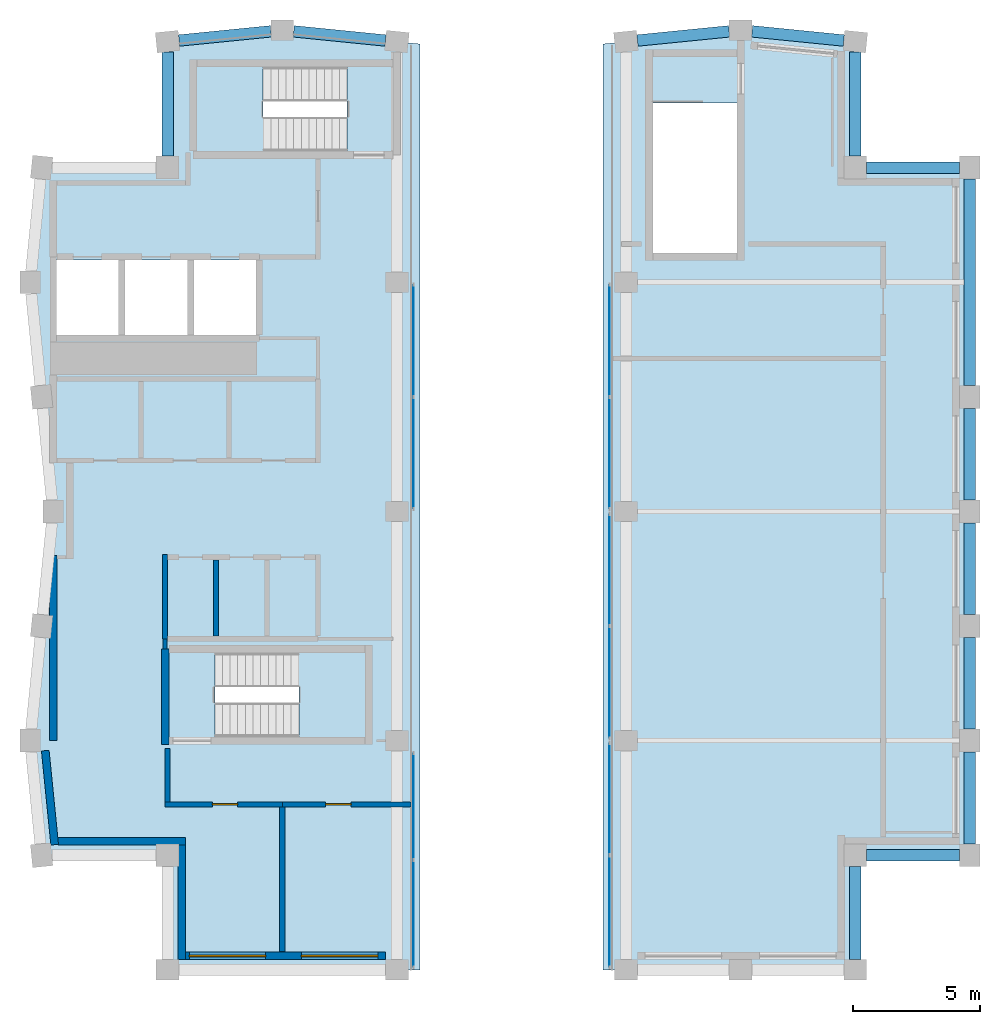
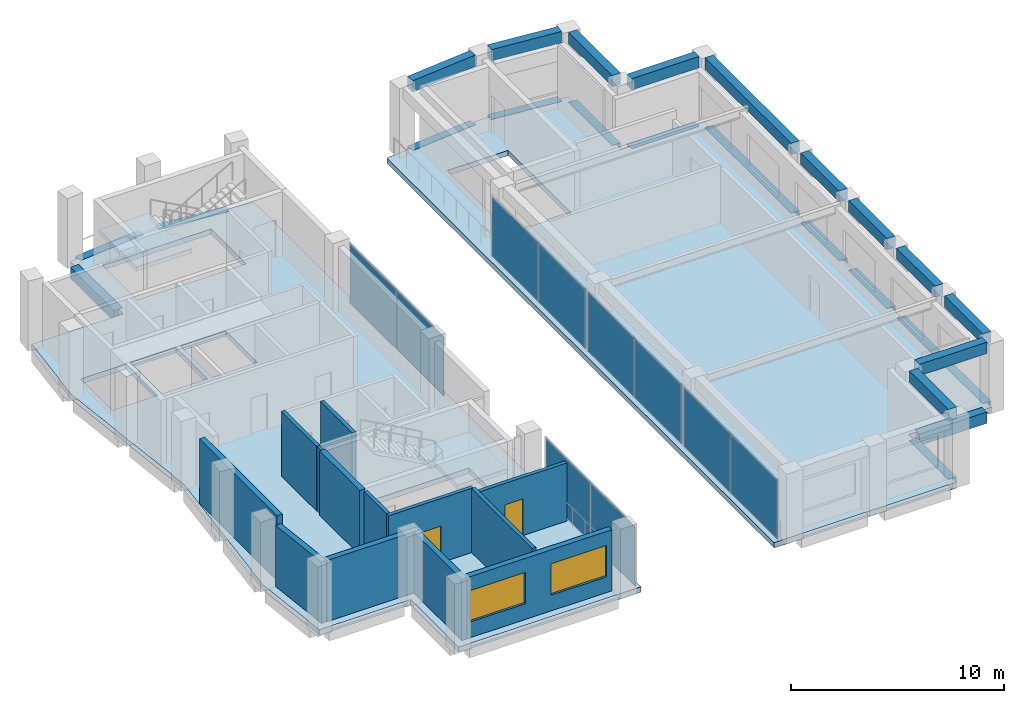
# One storey, part 6 of 9: 25 beams, 13 walls, 10 plates, 4 slabs, 2 doors, 2 windows, 4 openings, 7 elements without a shape of their own.
"""IFC4 building model written with IfcOpenShell, lengths in metres."""

from ifc_helpers import new_model, si_unit, direction, frame, frame_2d, origin, origin_2d, place, context, subcontext, project, spatial, polyline, rectangle, outline, extrude, material, layer, layer_set, material_profile, profile_set, type_object, element, fill, aggregate, save


model = new_model("IFC4")

# Units and contexts
model_context = context("Model", 3, precision=1e-05, world=origin(), true_north=direction((0.0, 1.0)))
body_context = subcontext(model_context, "Body", "Model", "MODEL_VIEW")
ifc_project = project(units=[si_unit("LENGTHUNIT", "METRE"), si_unit("AREAUNIT", "SQUARE_METRE"), si_unit("VOLUMEUNIT", "CUBIC_METRE"), si_unit("PLANEANGLEUNIT", "RADIAN"), si_unit("MASSUNIT", "GRAM", prefix="KILO")], contexts=[model_context])

# Site, building, storey
site_placement = place(None, origin())
site = spatial("IfcSite", under=ifc_project, at=site_placement, CompositionType="ELEMENT")
building_placement = place(site_placement, origin())
building = spatial("IfcBuilding", under=site, at=building_placement, Name="Brondeck Convention Tower", CompositionType="ELEMENT")
storey_placement = place(building_placement, frame((0.0, 0.0, 294.800048828125)))
storey = spatial("IfcBuildingStorey", under=building, at=storey_placement, Name="L73", CompositionType="ELEMENT", Elevation=294.800048828125)

# Beams
ifc_material_1 = material(Name="Concrete C50/60", Category="concrete")
ifc_material_profile = material_profile(ifc_material_1, rectangle(XDim=0.449951171875, YDim=0.64990234375, at=origin_2d()), Name="Precast spandrel 450x650 Concrete C50/60")
ifc_profile_set = profile_set([ifc_material_profile], Name="Concrete C50/60")
beam_type = type_object("IfcBeamType", Name="Precast spandrel 450x650 Concrete C50/60", PredefinedType="SPANDREL", material=ifc_profile_set)
for number, where, z_axis, x_axis, name in (
    (1, (13.05224609375, 63.494873046875, -0.324951171875), (-0.995040528141, 0.099470334057, 0.0), (-0.099470334057, -0.995040528141, 0.0), "STR-SP-L73K1-006"),
    (2, (8.550048828125, 63.85498046875, -0.324951171875), (-0.995040528141, -0.099470334057, 0.0), (0.099470334057, -0.995040528141, 0.0), "STR-SP-L73K1-007"),
):
    element("IfcBeam", number, at=place(storey_placement, frame(where, z_axis=z_axis, x_axis=x_axis)), inside=storey, type_object=beam_type, Name=name, PredefinedType="SPANDREL", context=body_context, shape_type="SweptSolid", body=[
        extrude(rectangle(XDim=0.449951171875, YDim=0.64990234375, at=origin_2d()), origin(), (0.0, 0.0, 1.0), 3.620361328125),
    ])
beam_1_placement = place(storey_placement, frame((4.5, 63.048095703125, -0.324951171875), z_axis=(0.0, -1.0, 0.0), x_axis=(1.0, 0.0, 0.0)))
element("IfcBeam", 3, at=beam_1_placement, inside=storey, type_object=beam_type, Name="STR-SP-L73K1-008", PredefinedType="SPANDREL", context=body_context, shape_type="SweptSolid", body=[
    extrude(rectangle(XDim=0.449951171875, YDim=0.64990234375, at=origin_2d()), origin(), (0.0, 0.0, 1.0), 4.09814453125),
])
for number, where, z_axis, x_axis, name in (
    (4, (31.5, 27.39990234375, -0.324951171875), (0.0, 1.0, 0.0), (-1.0, 0.0, 0.0), "STR-SP-L73K2-003"),
    (5, (31.949951171875, 31.5, -0.324951171875), (1.0, 0.0, 0.0), (0.0, 1.0, 0.0), "STR-SP-L73K2-004"),
):
    element("IfcBeam", number, at=place(storey_placement, frame(where, z_axis=z_axis, x_axis=x_axis)), inside=storey, type_object=beam_type, Name=name, PredefinedType="SPANDREL", context=body_context, shape_type="SweptSolid", body=[
        extrude(rectangle(XDim=0.449951171875, YDim=0.64990234375, at=origin_2d()), origin(), (0.0, 0.0, 1.0), 3.650146484375),
    ])
for number, where, z_axis, x_axis, name in (
    (6, (36.0, 31.949951171875, -0.324951171875), (0.0, 1.0, 0.0), (-1.0, 0.0, 0.0), "STR-SP-L73K2-005"),
    (7, (36.0, 36.449951171875, -0.324951171875), (0.0, 1.0, 0.0), (-1.0, 0.0, 0.0), "STR-SP-L73K2-006"),
    (8, (36.0, 40.949951171875, -0.324951171875), (0.0, 1.0, 0.0), (-1.0, 0.0, 0.0), "STR-SP-L73K2-007"),
    (9, (36.0, 45.449951171875, -0.324951171875), (0.0, 1.0, 0.0), (-1.0, 0.0, 0.0), "STR-SP-L73K2-008"),
):
    element("IfcBeam", number, at=place(storey_placement, frame(where, z_axis=z_axis, x_axis=x_axis)), inside=storey, type_object=beam_type, Name=name, PredefinedType="SPANDREL", context=body_context, shape_type="SweptSolid", body=[
        extrude(rectangle(XDim=0.449951171875, YDim=0.64990234375, at=origin_2d()), origin(), (0.0, 0.0, 1.0), 3.60009765625),
    ])
beam_2_placement = place(storey_placement, frame((36.0, 49.949951171875, -0.324951171875), z_axis=(0.0, 1.0, 0.0), x_axis=(-1.0, 0.0, 0.0)))
element("IfcBeam", 10, at=beam_2_placement, inside=storey, type_object=beam_type, Name="STR-SP-L73K2-009", PredefinedType="SPANDREL", context=body_context, shape_type="SweptSolid", body=[
    extrude(rectangle(XDim=0.449951171875, YDim=0.64990234375, at=origin_2d()), origin(), (0.0, 0.0, 1.0), 8.10009765625),
])
beam_3_placement = place(storey_placement, frame((35.60009765625, 58.5, -0.324951171875), z_axis=(-1.0, 0.0, 0.0), x_axis=(0.0, -1.0, 0.0)))
element("IfcBeam", 11, at=beam_3_placement, inside=storey, type_object=beam_type, Name="STR-SP-L73K2-010", PredefinedType="SPANDREL", context=body_context, shape_type="SweptSolid", body=[
    extrude(rectangle(XDim=0.449951171875, YDim=0.64990234375, at=origin_2d()), origin(), (0.0, 0.0, 1.0), 3.650146484375),
])
beam_4_placement = place(storey_placement, frame((31.5, 58.949951171875, -0.324951171875), z_axis=(0.0, 1.0, 0.0), x_axis=(-1.0, 0.0, 0.0)))
element("IfcBeam", 12, at=beam_4_placement, inside=storey, type_object=beam_type, Name="STR-SP-L73K2-011", PredefinedType="SPANDREL", context=body_context, shape_type="SweptSolid", body=[
    extrude(rectangle(XDim=0.449951171875, YDim=0.64990234375, at=origin_2d()), origin(), (0.0, 0.0, 1.0), 4.09814453125),
])
for number, where, z_axis, x_axis, name in (
    (13, (31.05224609375, 63.494873046875, -0.324951171875), (-0.995040528141, 0.099470334057, 0.0), (-0.099470334057, -0.995040528141, 0.0), "STR-SP-L73K2-012"),
    (14, (26.550048828125, 63.85498046875, -0.324951171875), (-0.995040528141, -0.099470334057, 0.0), (0.099470334057, -0.995040528141, 0.0), "STR-SP-L73K2-013"),
):
    element("IfcBeam", number, at=place(storey_placement, frame(where, z_axis=z_axis, x_axis=x_axis)), inside=storey, type_object=beam_type, Name=name, PredefinedType="SPANDREL", context=body_context, shape_type="SweptSolid", body=[
        extrude(rectangle(XDim=0.449951171875, YDim=0.64990234375, at=origin_2d()), origin(), (0.0, 0.0, 1.0), 3.620361328125),
    ])
for number, where, z_axis, x_axis, name in (
    (15, (31.5, 27.39990234375, 3.675048828125), (0.0, 1.0, 0.0), (-1.0, 0.0, 0.0), "STR-SP-L73RP2-003"),
    (16, (31.949951171875, 31.5, 3.675048828125), (1.0, 0.0, 0.0), (0.0, 1.0, 0.0), "STR-SP-L73RP2-004"),
):
    element("IfcBeam", number, at=place(storey_placement, frame(where, z_axis=z_axis, x_axis=x_axis)), inside=storey, type_object=beam_type, Name=name, PredefinedType="SPANDREL", context=body_context, shape_type="SweptSolid", body=[
        extrude(rectangle(XDim=0.449951171875, YDim=0.64990234375, at=origin_2d()), origin(), (0.0, 0.0, 1.0), 3.650146484375),
    ])
for number, where, z_axis, x_axis, name in (
    (17, (36.0, 31.949951171875, 3.675048828125), (0.0, 1.0, 0.0), (-1.0, 0.0, 0.0), "STR-SP-L73RP2-005"),
    (18, (36.0, 36.449951171875, 3.675048828125), (0.0, 1.0, 0.0), (-1.0, 0.0, 0.0), "STR-SP-L73RP2-006"),
    (19, (36.0, 40.949951171875, 3.675048828125), (0.0, 1.0, 0.0), (-1.0, 0.0, 0.0), "STR-SP-L73RP2-007"),
    (20, (36.0, 45.449951171875, 3.675048828125), (0.0, 1.0, 0.0), (-1.0, 0.0, 0.0), "STR-SP-L73RP2-008"),
):
    element("IfcBeam", number, at=place(storey_placement, frame(where, z_axis=z_axis, x_axis=x_axis)), inside=storey, type_object=beam_type, Name=name, PredefinedType="SPANDREL", context=body_context, shape_type="SweptSolid", body=[
        extrude(rectangle(XDim=0.449951171875, YDim=0.64990234375, at=origin_2d()), origin(), (0.0, 0.0, 1.0), 3.60009765625),
    ])
beam_5_placement = place(storey_placement, frame((36.0, 49.949951171875, 3.675048828125), z_axis=(0.0, 1.0, 0.0), x_axis=(-1.0, 0.0, 0.0)))
element("IfcBeam", 21, at=beam_5_placement, inside=storey, type_object=beam_type, Name="STR-SP-L73RP2-009", PredefinedType="SPANDREL", context=body_context, shape_type="SweptSolid", body=[
    extrude(rectangle(XDim=0.449951171875, YDim=0.64990234375, at=origin_2d()), origin(), (0.0, 0.0, 1.0), 8.10009765625),
])
beam_6_placement = place(storey_placement, frame((35.60009765625, 58.5, 3.675048828125), z_axis=(-1.0, 0.0, 0.0), x_axis=(0.0, -1.0, 0.0)))
element("IfcBeam", 22, at=beam_6_placement, inside=storey, type_object=beam_type, Name="STR-SP-L73RP2-010", PredefinedType="SPANDREL", context=body_context, shape_type="SweptSolid", body=[
    extrude(rectangle(XDim=0.449951171875, YDim=0.64990234375, at=origin_2d()), origin(), (0.0, 0.0, 1.0), 3.650146484375),
])
beam_7_placement = place(storey_placement, frame((31.5, 58.949951171875, 3.675048828125), z_axis=(0.0, 1.0, 0.0), x_axis=(-1.0, 0.0, 0.0)))
element("IfcBeam", 23, at=beam_7_placement, inside=storey, type_object=beam_type, Name="STR-SP-L73RP2-011", PredefinedType="SPANDREL", context=body_context, shape_type="SweptSolid", body=[
    extrude(rectangle(XDim=0.449951171875, YDim=0.64990234375, at=origin_2d()), origin(), (0.0, 0.0, 1.0), 4.09814453125),
])
for number, where, z_axis, x_axis, name in (
    (24, (31.05224609375, 63.494873046875, 3.675048828125), (-0.995040528141, 0.099470334057, 0.0), (-0.099470334057, -0.995040528141, 0.0), "STR-SP-L73RP2-012"),
    (25, (26.550048828125, 63.85498046875, 3.675048828125), (-0.995040528141, -0.099470334057, 0.0), (0.099470334057, -0.995040528141, 0.0), "STR-SP-L73RP2-013"),
):
    element("IfcBeam", number, at=place(storey_placement, frame(where, z_axis=z_axis, x_axis=x_axis)), inside=storey, type_object=beam_type, Name=name, PredefinedType="SPANDREL", context=body_context, shape_type="SweptSolid", body=[
        extrude(rectangle(XDim=0.449951171875, YDim=0.64990234375, at=origin_2d()), origin(), (0.0, 0.0, 1.0), 3.620361328125),
    ])

# Curtain wall, plates
ifc_material_2 = material(Name="Aluminium, bronze anodised", Category="aluminium")
curtain_wall_type = type_object("IfcCurtainWallType", Name="Crown screen curtain wall", PredefinedType="NOTDEFINED", material=ifc_material_2)
curtain_wall_1_placement = place(storey_placement, origin())
curtain_wall_1 = element("IfcCurtainWall", 26, at=curtain_wall_1_placement, inside=storey, type_object=curtain_wall_type, Name="ENV-CW4-L73-K1-SLOT-W-00-2", PredefinedType="NOTDEFINED")
ifc_material_3 = material(Name="Bronze tinted laminated glass", Category="glass")
ifc_layer_1 = layer(ifc_material_3, 0.007080078125, Name="Outer pane")
ifc_material_4 = material(Name="Argon-filled cavity")
ifc_layer_2 = layer(ifc_material_4, 0.011962890625, Name="Cavity")
ifc_material_5 = material(Name="Clear low-emissivity glass", Category="glass")
ifc_layer_3 = layer(ifc_material_5, 0.007080078125, Name="Inner pane")
ifc_layer_set_1 = layer_set([ifc_layer_1, ifc_layer_2, ifc_layer_3], Name="CW4 glazing panel")
plate_type = type_object("IfcPlateType", Name="CW4 glazing panel", PredefinedType="CURTAIN_PANEL", material=ifc_layer_set_1)
plate_1_placement = place(storey_placement, frame((14.14990234375, 33.41259765625, 0.06005859375), z_axis=(0.0, 0.0, 1.0), x_axis=(0.0, -1.0, 0.0)))
plate_1 = element("IfcPlate", 27, at=plate_1_placement, type_object=plate_type, Name="CW4 panel 1.1", PredefinedType="CURTAIN_PANEL", context=body_context, shape_type="SweptSolid", body=[
    extrude(rectangle(XDim=4.155029296875, YDim=0.02587890625, at=origin_2d()), origin(), (0.0, 0.0, 1.0), 3.3798828125),
])
plate_2_placement = place(storey_placement, frame((14.14990234375, 29.197509765625, 0.06005859375), z_axis=(0.0, 0.0, 1.0), x_axis=(0.0, -1.0, 0.0)))
plate_2 = element("IfcPlate", 28, at=plate_2_placement, type_object=plate_type, Name="CW4 panel 2.1", PredefinedType="CURTAIN_PANEL", context=body_context, shape_type="SweptSolid", body=[
    extrude(rectangle(XDim=4.155029296875, YDim=0.02587890625, at=origin_2d()), origin(), (0.0, 0.0, 1.0), 3.3798828125),
])
aggregate(curtain_wall_1, [plate_1, plate_2])

curtain_wall_2_placement = place(storey_placement, origin())
curtain_wall_2 = element("IfcCurtainWall", 29, at=curtain_wall_2_placement, inside=storey, type_object=curtain_wall_type, Name="ENV-CW4-L73-K1-SLOT-W-05", PredefinedType="NOTDEFINED")
plate_3_placement = place(storey_placement, frame((14.14990234375, 51.705078125, 0.06005859375), z_axis=(0.0, 0.0, 1.0), x_axis=(0.0, -1.0, 0.0)))
plate_3 = element("IfcPlate", 30, at=plate_3_placement, type_object=plate_type, Name="CW4 panel 1.1", PredefinedType="CURTAIN_PANEL", context=body_context, shape_type="SweptSolid", body=[
    extrude(rectangle(XDim=4.35009765625, YDim=0.02587890625, at=origin_2d()), origin(), (0.0, 0.0, 1.0), 3.3798828125),
])
plate_4_placement = place(storey_placement, frame((14.14990234375, 47.294921875, 0.06005859375), z_axis=(0.0, 0.0, 1.0), x_axis=(0.0, -1.0, 0.0)))
plate_4 = element("IfcPlate", 31, at=plate_4_placement, type_object=plate_type, Name="CW4 panel 2.1", PredefinedType="CURTAIN_PANEL", context=body_context, shape_type="SweptSolid", body=[
    extrude(rectangle(XDim=4.35009765625, YDim=0.02587890625, at=origin_2d()), origin(), (0.0, 0.0, 1.0), 3.3798828125),
])
aggregate(curtain_wall_2, [plate_3, plate_4])

curtain_wall_3_placement = place(storey_placement, origin())
curtain_wall_3 = element("IfcCurtainWall", 32, at=curtain_wall_3_placement, inside=storey, type_object=curtain_wall_type, Name="ENV-CW4-L73-K2-SLOT-E-03", PredefinedType="NOTDEFINED")
plate_5_placement = place(storey_placement, frame((21.85009765625, 47.294921875, 0.06005859375), z_axis=(0.0, 0.0, 1.0), x_axis=(0.0, 1.0, 0.0)))
plate_5 = element("IfcPlate", 33, at=plate_5_placement, type_object=plate_type, Name="CW4 panel 1.1", PredefinedType="CURTAIN_PANEL", context=body_context, shape_type="SweptSolid", body=[
    extrude(rectangle(XDim=4.35009765625, YDim=0.02587890625, at=origin_2d()), origin(), (0.0, 0.0, 1.0), 3.3798828125),
])
plate_6_placement = place(storey_placement, frame((21.85009765625, 51.705078125, 0.06005859375), z_axis=(0.0, 0.0, 1.0), x_axis=(0.0, 1.0, 0.0)))
plate_6 = element("IfcPlate", 34, at=plate_6_placement, type_object=plate_type, Name="CW4 panel 2.1", PredefinedType="CURTAIN_PANEL", context=body_context, shape_type="SweptSolid", body=[
    extrude(rectangle(XDim=4.35009765625, YDim=0.02587890625, at=origin_2d()), origin(), (0.0, 0.0, 1.0), 3.3798828125),
])
aggregate(curtain_wall_3, [plate_5, plate_6])

curtain_wall_4_placement = place(storey_placement, origin())
curtain_wall_4 = element("IfcCurtainWall", 35, at=curtain_wall_4_placement, inside=storey, type_object=curtain_wall_type, Name="ENV-CW4-L73-K2-SLOT-E-05", PredefinedType="NOTDEFINED")
plate_7_placement = place(storey_placement, frame((21.85009765625, 38.294921875, 0.06005859375), z_axis=(0.0, 0.0, 1.0), x_axis=(0.0, 1.0, 0.0)))
plate_7 = element("IfcPlate", 36, at=plate_7_placement, type_object=plate_type, Name="CW4 panel 1.1", PredefinedType="CURTAIN_PANEL", context=body_context, shape_type="SweptSolid", body=[
    extrude(rectangle(XDim=4.35009765625, YDim=0.02587890625, at=origin_2d()), origin(), (0.0, 0.0, 1.0), 3.3798828125),
])
plate_8_placement = place(storey_placement, frame((21.85009765625, 42.705078125, 0.06005859375), z_axis=(0.0, 0.0, 1.0), x_axis=(0.0, 1.0, 0.0)))
plate_8 = element("IfcPlate", 37, at=plate_8_placement, type_object=plate_type, Name="CW4 panel 2.1", PredefinedType="CURTAIN_PANEL", context=body_context, shape_type="SweptSolid", body=[
    extrude(rectangle(XDim=4.35009765625, YDim=0.02587890625, at=origin_2d()), origin(), (0.0, 0.0, 1.0), 3.3798828125),
])
aggregate(curtain_wall_4, [plate_7, plate_8])

curtain_wall_5_placement = place(storey_placement, origin())
curtain_wall_5 = element("IfcCurtainWall", 38, at=curtain_wall_5_placement, inside=storey, type_object=curtain_wall_type, Name="ENV-CW4-L73-K2-SLOT-E-07-1", PredefinedType="NOTDEFINED")
plate_9_placement = place(storey_placement, frame((21.85009765625, 29.294921875, 0.06005859375), z_axis=(0.0, 0.0, 1.0), x_axis=(0.0, 1.0, 0.0)))
plate_9 = element("IfcPlate", 39, at=plate_9_placement, type_object=plate_type, Name="CW4 panel 1.1", PredefinedType="CURTAIN_PANEL", context=body_context, shape_type="SweptSolid", body=[
    extrude(rectangle(XDim=4.35009765625, YDim=0.02587890625, at=origin_2d()), origin(), (0.0, 0.0, 1.0), 3.3798828125),
])
plate_10_placement = place(storey_placement, frame((21.85009765625, 33.705078125, 0.06005859375), z_axis=(0.0, 0.0, 1.0), x_axis=(0.0, 1.0, 0.0)))
plate_10 = element("IfcPlate", 40, at=plate_10_placement, type_object=plate_type, Name="CW4 panel 2.1", PredefinedType="CURTAIN_PANEL", context=body_context, shape_type="SweptSolid", body=[
    extrude(rectangle(XDim=4.35009765625, YDim=0.02587890625, at=origin_2d()), origin(), (0.0, 0.0, 1.0), 3.3798828125),
])
aggregate(curtain_wall_5, [plate_9, plate_10])

# Slabs
ifc_material_6 = material(Name="Concrete C35/45", Category="concrete")
ifc_layer_4 = layer(ifc_material_6, 0.300048828125)
ifc_layer_set_2 = layer_set([ifc_layer_4], Name="Composite floor slab 300")
slab_type_1 = type_object("IfcSlabType", Name="Composite floor slab 300", PredefinedType="FLOOR", material=ifc_layer_set_2)
slab_1_placement = place(storey_placement, frame((0.0, 0.0, -0.300048828125)))
element("IfcSlab", 41, at=slab_1_placement, inside=storey, type_object=slab_type_1, Name="STR-SL-L73-P1", PredefinedType="FLOOR", context=body_context, shape_type="SweptSolid", body=[
    extrude(outline(polyline([(4.5, 31.5), (-0.449951171875, 31.5), (-0.89990234375, 36.0), (0.0, 45.0), (-0.89990234375, 54.0), (-0.449951171875, 58.5), (4.5, 58.5), (4.5, 63.449951171875), (9.0, 63.89990234375), (14.39990234375, 63.360107421875), (14.39990234375, 63.0), (14.39990234375, 27.0), (4.5, 27.0), (4.5, 31.5)]), holes=[polyline([(6.35205078125, 39.447998046875), (6.35205078125, 36.152099609375), (12.248046875, 36.152099609375), (12.248046875, 39.447998046875), (6.35205078125, 39.447998046875)]), polyline([(2.574951171875, 54.875), (0.125, 54.875), (0.125, 51.925048828125), (2.574951171875, 51.925048828125), (2.574951171875, 54.875)]), polyline([(5.27490234375, 54.875), (2.824951171875, 54.875), (2.824951171875, 51.925048828125), (5.27490234375, 51.925048828125), (5.27490234375, 54.875)]), polyline([(5.52490234375, 54.875), (5.52490234375, 51.925048828125), (7.97509765625, 51.925048828125), (7.97509765625, 54.875), (5.52490234375, 54.875)]), polyline([(5.652099609375, 59.152099609375), (11.548095703125, 59.152099609375), (11.548095703125, 62.447998046875), (5.652099609375, 62.447998046875), (5.652099609375, 59.152099609375)])]), origin(), (0.0, 0.0, 1.0), 0.300048828125),
])
slab_2_placement = place(storey_placement, frame((0.0, 0.0, -0.300048828125)))
element("IfcSlab", 42, at=slab_2_placement, inside=storey, type_object=slab_type_1, Name="STR-SL-L73-P2", PredefinedType="FLOOR", context=body_context, shape_type="SweptSolid", body=[
    extrude(outline(polyline([(21.60009765625, 63.0), (21.60009765625, 63.360107421875), (27.0, 63.89990234375), (31.5, 63.449951171875), (31.5, 58.5), (36.0, 58.5), (36.0, 31.5), (31.5, 31.5), (31.5, 27.0), (21.60009765625, 27.0), (21.60009765625, 63.0)]), holes=[polyline([(26.847900390625, 55.152099609375), (26.847900390625, 61.048095703125), (23.552001953125, 61.048095703125), (23.552001953125, 55.152099609375), (26.847900390625, 55.152099609375)])]), origin(), (0.0, 0.0, 1.0), 0.300048828125),
])

# Stair, slab
ifc_material_7 = material(Name="Precast concrete C50/60", Category="concrete")
stair_type = type_object("IfcStairType", Name="Core stair 24 risers 166.67 mm riser 300 mm going 1350 wide", PredefinedType="HALF_TURN_STAIR", material=ifc_material_7)
stair_1_placement = place(storey_placement, origin())
stair_1 = element("IfcStair", 43, at=stair_1_placement, inside=storey, type_object=stair_type, Name="ST-1 L73 stair", PredefinedType="HALF_TURN_STAIR")
ifc_layer_5 = layer(ifc_material_7, 0.25)
ifc_layer_set_3 = layer_set([ifc_layer_5], Name="Core stair landing 250 Precast concrete C50/60")
slab_type_2 = type_object("IfcSlabType", Name="Core stair landing 250 Precast concrete C50/60", PredefinedType="LANDING", material=ifc_layer_set_3)
slab_3_placement = place(storey_placement, frame((0.0, 0.0, 1.75)))
slab_3 = element("IfcSlab", 44, at=slab_3_placement, type_object=slab_type_2, Name="ST-1 landing 1", PredefinedType="LANDING", context=body_context, shape_type="SweptSolid", body=[
    extrude(outline(polyline([(9.64794921875, 37.5), (9.64990234375, 37.5), (9.64990234375, 38.10009765625), (9.35009765625, 38.10009765625), (9.35009765625, 39.570068359375), (12.3701171875, 39.570068359375), (12.3701171875, 36.030029296875), (9.64794921875, 36.030029296875), (9.64794921875, 37.5)])), origin(), (0.0, 0.0, 1.0), 0.25),
])
aggregate(stair_1, [slab_3])

stair_2_placement = place(storey_placement, origin())
stair_2 = element("IfcStair", 45, at=stair_2_placement, inside=storey, type_object=stair_type, Name="ST-3 L73 stair", PredefinedType="HALF_TURN_STAIR")
slab_4_placement = place(storey_placement, frame((0.0, 0.0, 1.75)))
slab_4 = element("IfcSlab", 46, at=slab_4_placement, type_object=slab_type_2, Name="ST-3 landing 1", PredefinedType="LANDING", context=body_context, shape_type="SweptSolid", body=[
    extrude(outline(polyline([(8.550048828125, 60.5), (8.550048828125, 59.030029296875), (5.530029296875, 59.030029296875), (5.530029296875, 62.570068359375), (8.251953125, 62.570068359375), (8.251953125, 61.10009765625), (8.25, 61.10009765625), (8.25, 60.5), (8.550048828125, 60.5)])), origin(), (0.0, 0.0, 1.0), 0.25),
])
aggregate(stair_2, [slab_4])

# Walls
ifc_layer_6 = layer(ifc_material_1, 0.300048828125)
ifc_layer_set_4 = layer_set([ifc_layer_6], Name="Core outer wall 300 Concrete C50/60")
wall_type_1 = type_object("IfcWallType", Name="Core outer wall 300 Concrete C50/60", PredefinedType="SHEAR", material=ifc_layer_set_4)
wall_1_placement = place(storey_placement, frame((0.0, 36.0, 0.0), z_axis=(0.0, 0.0, 1.0), x_axis=(0.0, 1.0, 0.0)))
element("IfcWall", 47, at=wall_1_placement, inside=storey, type_object=wall_type_1, Name="L73 core wall", PredefinedType="SHEAR", context=body_context, shape_type="SweptSolid", body=[
    extrude(rectangle(XDim=7.27490234375, YDim=0.300048828125, at=frame_2d((3.637451171875, 0.0))), origin(), (0.0, 0.0, 1.0), 3.699951171875),
])
ifc_material_8 = material(Name="Fire-rated gypsum board partition")
ifc_layer_7 = layer(ifc_material_8, 0.14990234375)
ifc_layer_set_5 = layer_set([ifc_layer_7], Name="Core partition 150 EI 60")
wall_type_2 = type_object("IfcWallType", Name="Core partition 150 EI 60", PredefinedType="PARTITIONING", material=ifc_layer_set_5)
wall_2_placement = place(storey_placement, frame((4.39990234375, 39.60009765625, 0.0), z_axis=(0.0, 0.0, 1.0), x_axis=(0.0, 1.0, 0.0)))
element("IfcWall", 48, at=wall_2_placement, inside=storey, type_object=wall_type_2, Name="L73 core wall", PredefinedType="PARTITIONING", context=body_context, shape_type="SweptSolid", body=[
    extrude(rectangle(XDim=0.39990234375, YDim=0.14990234375, at=frame_2d((0.199951171875, 0.0))), origin(), (0.0, 0.0, 1.0), 3.699951171875),
])

# Wall, openings, windows
ifc_material_9 = material(Name="Precast concrete C50/60 bronze finish", Category="concrete")
ifc_layer_8 = layer(ifc_material_9, 0.070068359375, Name="Bronze precast facing")
ifc_material_10 = material(Name="Mineral wool")
ifc_layer_9 = layer(ifc_material_10, 0.159912109375, Name="Insulation")
ifc_layer_10 = layer(ifc_material_6, 0.070068359375, Name="Backing")
ifc_layer_set_6 = layer_set([ifc_layer_8, ifc_layer_9, ifc_layer_10], Name="External infill wall, precast concrete C50/60 bronze facing")
wall_type_3 = type_object("IfcWallType", Name="External infill wall, precast concrete C50/60 bronze facing", PredefinedType="SOLIDWALL", material=ifc_layer_set_6)
wall_3_placement = place(storey_placement, frame((13.050048828125, 27.550048828125, 0.0), z_axis=(0.0, 0.0, 1.0), x_axis=(-1.0, 0.0, 0.0)))
wall_3 = element("IfcWall", 49, at=wall_3_placement, inside=storey, type_object=wall_type_3, Name="ENV-EW-L73-K1-K-S-01", PredefinedType="SOLIDWALL", context=body_context, shape_type="SweptSolid", body=[
    extrude(rectangle(XDim=7.85009765625, YDim=0.300048828125, at=frame_2d((3.925048828125, 0.0))), origin(), (0.0, 0.0, 1.0), 3.5),
])
opening_1_placement = place(wall_3_placement, frame((0.300048828125, 0.0, 0.89990234375)))
opening_1 = element("IfcOpeningElement", 50, at=opening_1_placement, cuts=wall_3, Name="Opening W8", PredefinedType="OPENING", context=body_context, shape_type="SweptSolid", body=[
    extrude(rectangle(XDim=3.0, YDim=1.800048828125, at=frame_2d((1.5, 0.89990234375))), frame((0.0, 0.159912109375, 0.0), z_axis=(0.0, -1.0, 0.0), x_axis=(1.0, 0.0, 0.0)), (0.0, 0.0, 1.0), 0.320068359375),
])
opening_2_placement = place(wall_3_placement, frame((4.699951171875, 0.0, 0.89990234375)))
opening_2 = element("IfcOpeningElement", 51, at=opening_2_placement, cuts=wall_3, Name="Opening W8", PredefinedType="OPENING", context=body_context, shape_type="SweptSolid", body=[
    extrude(rectangle(XDim=3.0, YDim=1.800048828125, at=frame_2d((1.5, 0.89990234375))), frame((0.0, 0.159912109375, 0.0), z_axis=(0.0, -1.0, 0.0), x_axis=(1.0, 0.0, 0.0)), (0.0, 0.0, 1.0), 0.320068359375),
])
ifc_material_11 = material(Name="Bronze tinted double glazing", Category="glass")
window_type = type_object("IfcWindowType", Name="Crown plant storey window, bronze tinted", PartitioningType="SINGLE_PANEL", PredefinedType="WINDOW", material=ifc_material_11)
window_1_placement = place(opening_1_placement, origin())
window_1 = element("IfcWindow", 52, at=window_1_placement, inside=storey, type_object=window_type, Name="ENV-WN-L73-K1-K-S-02", OverallHeight=1.800048828125, OverallWidth=3.0, PartitioningType="SINGLE_PANEL", PredefinedType="WINDOW", context=body_context, shape_type="SweptSolid", body=[
    extrude(rectangle(XDim=3.0, YDim=1.800048828125, at=frame_2d((1.5, 0.89990234375))), frame((0.0, 0.030029296875, 0.0), z_axis=(0.0, -1.0, 0.0), x_axis=(1.0, 0.0, 0.0)), (0.0, 0.0, 1.0), 0.06005859375),
])
fill(opening_1, window_1)
window_2_placement = place(opening_2_placement, origin())
window_2 = element("IfcWindow", 53, at=window_2_placement, inside=storey, type_object=window_type, Name="ENV-WN-L73-K1-K-S-01", OverallHeight=1.800048828125, OverallWidth=3.0, PartitioningType="SINGLE_PANEL", PredefinedType="WINDOW", context=body_context, shape_type="SweptSolid", body=[
    extrude(rectangle(XDim=3.0, YDim=1.800048828125, at=frame_2d((1.5, 0.89990234375))), frame((0.0, 0.030029296875, 0.0), z_axis=(0.0, -1.0, 0.0), x_axis=(1.0, 0.0, 0.0)), (0.0, 0.0, 1.0), 0.06005859375),
])
fill(opening_2, window_2)

# Walls
wall_4_placement = place(storey_placement, frame((0.061279296875, 31.914794921875, 0.0), z_axis=(0.0, 0.0, 1.0), x_axis=(-0.099549320092, 0.995032629048, 0.0)))
element("IfcWall", 54, at=wall_4_placement, inside=storey, type_object=wall_type_3, Name="ENV-EW-L73-K1-B-W-06", PredefinedType="SOLIDWALL", context=body_context, shape_type="SweptSolid", body=[
    extrude(rectangle(XDim=3.71044921875, YDim=0.300048828125, at=frame_2d((1.855224609375, 0.0))), origin(), (0.0, 0.0, 1.0), 3.5),
])
wall_5_placement = place(storey_placement, frame((5.199951171875, 32.050048828125, 0.0), z_axis=(0.0, 0.0, 1.0), x_axis=(-1.0, 0.0, 0.0)))
element("IfcWall", 55, at=wall_5_placement, inside=storey, type_object=wall_type_3, Name="ENV-EW-L73-K1-NC-KSW-01", PredefinedType="SOLIDWALL", context=body_context, shape_type="SweptSolid", body=[
    extrude(rectangle(XDim=5.000244140625, YDim=0.300048828125, at=frame_2d((2.5, 0.0))), origin(), (0.0, 0.0, 1.0), 3.5),
])
wall_6_placement = place(storey_placement, frame((5.050048828125, 27.39990234375, 0.0), z_axis=(0.0, 0.0, 1.0), x_axis=(0.0, 1.0, 0.0)))
element("IfcWall", 56, at=wall_6_placement, inside=storey, type_object=wall_type_3, Name="ENV-EW-L73-K1-NC-KSW-02", PredefinedType="SOLIDWALL", context=body_context, shape_type="SweptSolid", body=[
    extrude(rectangle(XDim=4.502197265625, YDim=0.300048828125, at=frame_2d((2.2509765625, 0.0))), origin(), (0.0, 0.0, 1.0), 3.5),
])
ifc_material_12 = material(Name="Concrete block wall C16/20", Category="concrete")
ifc_layer_11 = layer(ifc_material_12, 0.199951171875)
ifc_layer_set_7 = layer_set([ifc_layer_11], Name="Plant room wall 200")
wall_type_4 = type_object("IfcWallType", Name="Plant room wall 200", PredefinedType="PARTITIONING", material=ifc_layer_set_7)
wall_7_placement = place(storey_placement, frame((9.0, 33.39990234375, 0.0), z_axis=(0.0, 0.0, 1.0), x_axis=(0.0, -1.0, 0.0)))
element("IfcWall", 57, at=wall_7_placement, inside=storey, type_object=wall_type_4, Name="FLR-L73-W003", PredefinedType="PARTITIONING", context=body_context, shape_type="SweptSolid", body=[
    extrude(rectangle(XDim=5.679931640625, YDim=0.199951171875, at=frame_2d((2.83984375, 0.0))), origin(), (0.0, 0.0, 1.0), 3.679931640625),
])

# Wall, opening, door
wall_8_placement = place(storey_placement, frame((9.0, 33.5, 0.0), z_axis=(0.0, 0.0, 1.0), x_axis=(-1.0, 0.0, 0.0)))
wall_8 = element("IfcWall", 58, at=wall_8_placement, inside=storey, type_object=wall_type_4, Name="FLR-L73-W004", PredefinedType="PARTITIONING", context=body_context, shape_type="SweptSolid", body=[
    extrude(rectangle(XDim=4.60009765625, YDim=0.199951171875, at=frame_2d((2.300048828125, 0.0))), origin(), (0.0, 0.0, 1.0), 3.679931640625),
])
opening_3_placement = place(wall_8_placement, frame((1.75, 0.0, 0.0)))
opening_3 = element("IfcOpeningElement", 59, at=opening_3_placement, cuts=wall_8, Name="Opening CR-B-001", PredefinedType="OPENING", context=body_context, shape_type="SweptSolid", body=[
    extrude(rectangle(XDim=1.0, YDim=2.10009765625, at=frame_2d((0.5, 1.050048828125))), frame((0.0, 0.10986328125, 0.0), z_axis=(0.0, -1.0, 0.0), x_axis=(1.0, 0.0, 0.0)), (0.0, 0.0, 1.0), 0.219970703125),
])
ifc_material_13 = material(Name="Steel fire door leaf", Category="steel")
door_type = type_object("IfcDoorType", Name="Plant room door 1000", OperationType="NOTDEFINED", PredefinedType="DOOR", material=ifc_material_13)
door_1_placement = place(opening_3_placement, origin())
door_1 = element("IfcDoor", 60, at=door_1_placement, inside=storey, type_object=door_type, Name="Door CR-B-001", OperationType="SINGLE_SWING_RIGHT", OverallHeight=2.10009765625, OverallWidth=1.0, PredefinedType="DOOR", context=body_context, shape_type="SweptSolid", body=[
    extrude(rectangle(XDim=1.0, YDim=2.10009765625, at=frame_2d((0.5, 1.050048828125))), frame((0.0, 0.02490234375, 0.0), z_axis=(0.0, -1.0, 0.0), x_axis=(1.0, 0.0, 0.0)), (0.0, 0.0, 1.0), 0.050048828125),
])
fill(opening_3, door_1)

wall_9_placement = place(storey_placement, frame((14.06005859375, 33.5, 0.0), z_axis=(0.0, 0.0, 1.0), x_axis=(-1.0, 0.0, 0.0)))
wall_9 = element("IfcWall", 61, at=wall_9_placement, inside=storey, type_object=wall_type_4, Name="FLR-L73-W005", PredefinedType="PARTITIONING", context=body_context, shape_type="SweptSolid", body=[
    extrude(rectangle(XDim=5.06005859375, YDim=0.199951171875, at=frame_2d((2.530029296875, 0.0))), origin(), (0.0, 0.0, 1.0), 3.329833984375),
])
opening_4_placement = place(wall_9_placement, frame((2.360107421875, 0.0, 0.0)))
opening_4 = element("IfcOpeningElement", 62, at=opening_4_placement, cuts=wall_9, Name="Opening CR-B-002", PredefinedType="OPENING", context=body_context, shape_type="SweptSolid", body=[
    extrude(rectangle(XDim=1.0, YDim=2.10009765625, at=frame_2d((0.5, 1.050048828125))), frame((0.0, 0.10986328125, 0.0), z_axis=(0.0, -1.0, 0.0), x_axis=(1.0, 0.0, 0.0)), (0.0, 0.0, 1.0), 0.219970703125),
])
door_2_placement = place(opening_4_placement, origin())
door_2 = element("IfcDoor", 63, at=door_2_placement, inside=storey, type_object=door_type, Name="Door CR-B-002", OperationType="SINGLE_SWING_LEFT", OverallHeight=2.10009765625, OverallWidth=1.0, PredefinedType="DOOR", context=body_context, shape_type="SweptSolid", body=[
    extrude(rectangle(XDim=1.0, YDim=2.10009765625, at=frame_2d((0.5, 1.050048828125))), frame((0.0, 0.02490234375, 0.0), z_axis=(0.0, -1.0, 0.0), x_axis=(1.0, 0.0, 0.0)), (0.0, 0.0, 1.0), 0.050048828125),
])
fill(opening_4, door_2)

# Walls
wall_10_placement = place(storey_placement, frame((4.5, 33.60009765625, 0.0), z_axis=(0.0, 0.0, 1.0), x_axis=(0.0, 1.0, 0.0)))
element("IfcWall", 64, at=wall_10_placement, inside=storey, type_object=wall_type_4, Name="FLR-L73-W006", PredefinedType="PARTITIONING", context=body_context, shape_type="SweptSolid", body=[
    extrude(rectangle(XDim=2.099853515625, YDim=0.199951171875, at=frame_2d((1.0498046875, 0.0))), origin(), (0.0, 0.0, 1.0), 3.679931640625),
])
ifc_layer_12 = layer(ifc_material_8, 0.199951171875)
ifc_layer_set_8 = layer_set([ifc_layer_12], Name="Plant room wall 200 EI 120")
wall_type_5 = type_object("IfcWallType", Name="Plant room wall 200 EI 120", PredefinedType="PARTITIONING", material=ifc_layer_set_8)
wall_11_placement = place(storey_placement, frame((4.39990234375, 40.0, 0.0), z_axis=(0.0, 0.0, 1.0), x_axis=(0.0, 1.0, 0.0)))
element("IfcWall", 65, at=wall_11_placement, inside=storey, type_object=wall_type_5, Name="L73 core wall", PredefinedType="PARTITIONING", context=body_context, shape_type="SweptSolid", body=[
    extrude(rectangle(XDim=3.300048828125, YDim=0.199951171875, at=frame_2d((1.64990234375, 0.0))), origin(), (0.0, 0.0, 1.0), 3.699951171875),
])
wall_12_placement = place(storey_placement, frame((6.39990234375, 40.10009765625, 0.0), z_axis=(0.0, 0.0, 1.0), x_axis=(0.0, 1.0, 0.0)))
element("IfcWall", 66, at=wall_12_placement, inside=storey, type_object=wall_type_5, Name="L73 core wall", PredefinedType="PARTITIONING", context=body_context, shape_type="SweptSolid", body=[
    extrude(rectangle(XDim=3.0, YDim=0.199951171875, at=frame_2d((1.5, 0.0))), origin(), (0.0, 0.0, 1.0), 3.699951171875),
])
ifc_layer_13 = layer(ifc_material_1, 0.300048828125)
ifc_layer_set_9 = layer_set([ifc_layer_13], Name="Stair enclosure wall 300 Concrete C50/60")
wall_type_6 = type_object("IfcWallType", Name="Stair enclosure wall 300 Concrete C50/60", PredefinedType="SHEAR", material=ifc_layer_set_9)
wall_13_placement = place(storey_placement, frame((4.39990234375, 35.85009765625, 0.0), z_axis=(0.0, 0.0, 1.0), x_axis=(0.0, 1.0, 0.0)))
element("IfcWall", 67, at=wall_13_placement, inside=storey, type_object=wall_type_6, Name="L73 core wall", PredefinedType="SHEAR", context=body_context, shape_type="SweptSolid", body=[
    extrude(rectangle(XDim=3.75, YDim=0.300048828125, at=frame_2d((1.875, 0.0))), origin(), (0.0, 0.0, 1.0), 3.699951171875),
])

save(model, "model.ifc")
